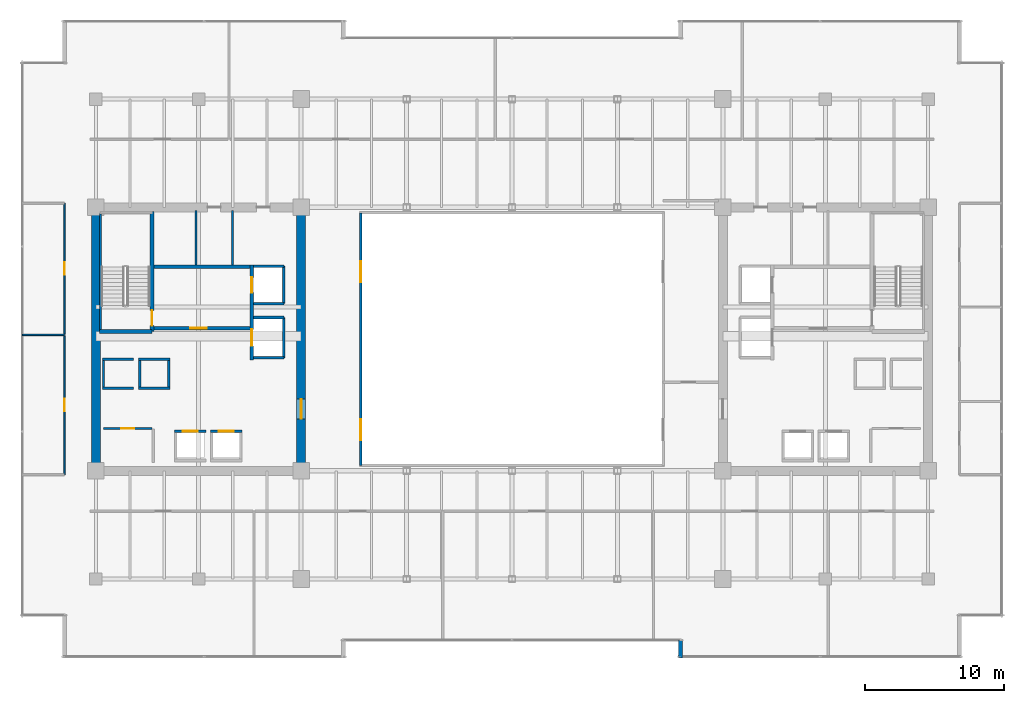
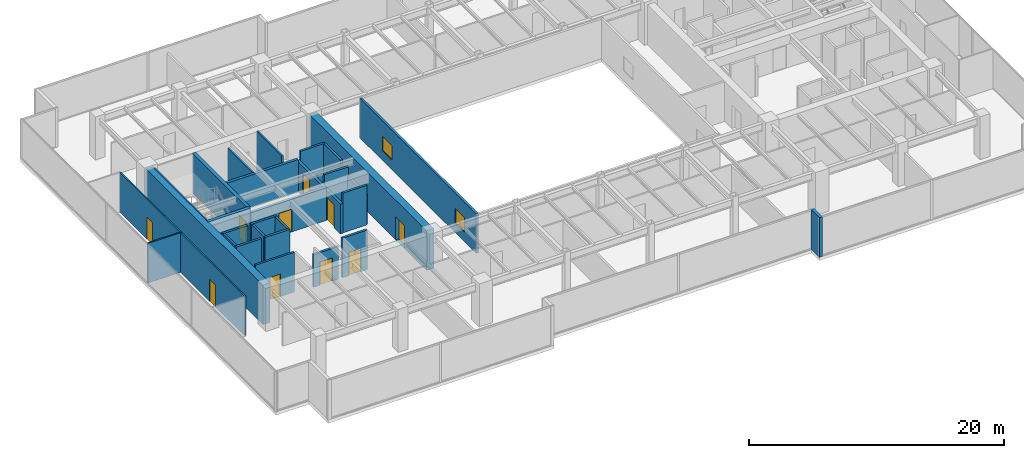
# One storey, part 25 of 30: 31 walls, 10 doors, 2 windows, 12 openings.
"""IFC4 building model written with IfcOpenShell, lengths in metres."""

from ifc_helpers import new_model, si_unit, direction, frame, frame_2d, origin, place, context, subcontext, project, spatial, rectangle, extrude, source, transform, mapped, material, layer, layer_set, type_object, type_shapes, element, fill, save


model = new_model("IFC4")

# Units and contexts
model_context = context("Model", 3, precision=1e-05, world=origin(), true_north=direction((0.0, 1.0)))
body_context = subcontext(model_context, "Body", "Model", "MODEL_VIEW")
ifc_project = project(units=[si_unit("LENGTHUNIT", "METRE"), si_unit("AREAUNIT", "SQUARE_METRE"), si_unit("VOLUMEUNIT", "CUBIC_METRE"), si_unit("PLANEANGLEUNIT", "RADIAN"), si_unit("MASSUNIT", "GRAM", prefix="KILO")], contexts=[model_context])

# Site, building, storey
site_placement = place(None, origin())
site = spatial("IfcSite", under=ifc_project, at=site_placement, CompositionType="ELEMENT")
building_placement = place(site_placement, origin())
building = spatial("IfcBuilding", under=site, at=building_placement, Name="Haelvirn Gate Laboratories", CompositionType="ELEMENT")
storey_placement = place(building_placement, frame((0.0, 0.0, 142.0)))
storey = spatial("IfcBuildingStorey", under=building, at=storey_placement, Name="L34", CompositionType="ELEMENT", Elevation=142.0)

# Wall
ifc_material_1 = material(Name="Thermally-broken bronze aluminium rainscreen & mineral wool", Category="aluminium")
ifc_layer_1 = layer(ifc_material_1, 0.280029296875, Name="EW-TERR-280")
ifc_layer_set_1 = layer_set([ifc_layer_1], Name="Thermally-broken bronze aluminium rainscreen & mineral wool")
wall_type_1 = type_object("IfcWallType", Name="EW-TERR-280", PredefinedType="STANDARD", material=ifc_layer_set_1)
wall_1_placement = place(storey_placement, frame((49.5400390625, 2.587890625, 0.0), z_axis=(0.0, 0.0, 1.0), x_axis=(0.0, -1.0, 0.0)))
element("IfcWall", 1, at=wall_1_placement, inside=storey, type_object=wall_type_1, Name="L34 Atrium Recess Bronze Return Wall 03", PredefinedType="STANDARD", context=body_context, shape_type="SweptSolid", body=[
    extrude(rectangle(XDim=1.287841796875, YDim=0.280029296875, at=frame_2d((0.64404296875, 0.0))), origin(), (0.0, 0.0, 1.0), 3.7900390625),
])

# Wall, openings, windows
ifc_material_2 = material(Name="Tempered fire-rated borosilicate glass & anodised aluminium", Category="aluminium")
ifc_layer_2 = layer(ifc_material_2, 0.195068359375, Name="IW-GLAZ-200")
ifc_layer_set_2 = layer_set([ifc_layer_2], Name="Tempered fire-rated borosilicate glass & anodised aluminium")
wall_type_2 = type_object("IfcWallType", Name="IW-GLAZ-200", PredefinedType="SOLIDWALL", material=ifc_layer_set_2)
wall_2_placement = place(storey_placement, frame((26.5, 15.199951171875, 0.0), z_axis=(0.0, 0.0, 1.0), x_axis=(0.0, 1.0, 0.0)))
wall_2 = element("IfcWall", 2, at=wall_2_placement, inside=storey, type_object=wall_type_2, Name="L34 Interior Wall IW-L34-ATRIUM-W", PredefinedType="SOLIDWALL", context=body_context, shape_type="SweptSolid", body=[
    extrude(rectangle(XDim=18.199951171875, YDim=0.195068359375, at=frame_2d((9.10009765625, 0.0))), origin(), (0.0, 0.0, 1.0), 3.7900390625),
])
opening_1_placement = place(wall_2_placement, frame((1.800048828125, 0.0, 0.89990234375)))
opening_1 = element("IfcOpeningElement", 3, at=opening_1_placement, cuts=wall_2, Name="Opening W5", PredefinedType="OPENING", context=body_context, shape_type="SweptSolid", body=[
    extrude(rectangle(XDim=1.5, YDim=1.39990234375, at=frame_2d((0.75, 0.699951171875))), frame((0.0, 0.107421875, 0.0), z_axis=(0.0, -1.0, 0.0), x_axis=(1.0, 0.0, 0.0)), (0.0, 0.0, 1.0), 0.215087890625),
])
opening_2_placement = place(wall_2_placement, frame((13.199951171875, 0.0, 0.89990234375)))
opening_2 = element("IfcOpeningElement", 4, at=opening_2_placement, cuts=wall_2, Name="Opening W5", PredefinedType="OPENING", context=body_context, shape_type="SweptSolid", body=[
    extrude(rectangle(XDim=1.5, YDim=1.39990234375, at=frame_2d((0.75, 0.699951171875))), frame((0.0, 0.107421875, 0.0), z_axis=(0.0, -1.0, 0.0), x_axis=(1.0, 0.0, 0.0)), (0.0, 0.0, 1.0), 0.215087890625),
])
ifc_material_3 = material(Name="Fire-rated EI 120 borosilicate atrium vision glazing", Category="glass")
window_type = type_object("IfcWindowType", Name="WN-ATR-1500", PartitioningType="SINGLE_PANEL", PredefinedType="WINDOW", material=ifc_material_3)
shared_shape_1 = source(origin(), body_context, "Body", "SweptSolid", [
    extrude(rectangle(XDim=1.5, YDim=1.39990234375, at=frame_2d((0.75, 0.699951171875))), frame((0.0, 0.030029296875, 0.0), z_axis=(0.0, -1.0, 0.0), x_axis=(1.0, 0.0, 0.0)), (0.0, 0.0, 1.0), 0.06005859375),
])
type_shapes(window_type, [shared_shape_1])
window_1_placement = place(opening_1_placement, origin())
window_1 = element("IfcWindow", 5, at=window_1_placement, inside=storey, type_object=window_type, Name="L34 Atrium Observation Window 1", OverallHeight=1.39990234375, OverallWidth=1.5, PartitioningType="SINGLE_PANEL", PredefinedType="WINDOW", context=body_context, shape_type="MappedRepresentation", body=[
    mapped(shared_shape_1, transform((0.0, 0.0, 0.0), scale=1.0)),
])
fill(opening_1, window_1)
window_2_placement = place(opening_2_placement, origin())
window_2 = element("IfcWindow", 6, at=window_2_placement, inside=storey, type_object=window_type, Name="L34 Atrium Observation Window 2", OverallHeight=1.39990234375, OverallWidth=1.5, PartitioningType="SINGLE_PANEL", PredefinedType="WINDOW", context=body_context, shape_type="MappedRepresentation", body=[
    mapped(shared_shape_1, transform((0.0, 0.0, 0.0), scale=1.0)),
])
fill(opening_2, window_2)

# Wall, opening, door
ifc_material_4 = material(Name="Lightweight acoustic gypsum board partition", Category="gypsum")
ifc_layer_3 = layer(ifc_material_4, 0.1201171875, Name="IW-PART-120")
ifc_layer_set_3 = layer_set([ifc_layer_3], Name="Lightweight acoustic gypsum board partition")
wall_type_3 = type_object("IfcWallType", Name="IW-PART-120", PredefinedType="PARTITIONING", material=ifc_layer_set_3)
wall_3_placement = place(storey_placement, frame((5.1298828125, 14.514892578125, 0.0), z_axis=(0.0, 0.0, 1.0), x_axis=(0.0, 1.0, 0.0)))
wall_3 = element("IfcWall", 7, at=wall_3_placement, inside=storey, type_object=wall_type_3, Name="L34 Interior Wall IW-L34-WPASS-01", PredefinedType="PARTITIONING", context=body_context, shape_type="SweptSolid", body=[
    extrude(rectangle(XDim=10.025146484375, YDim=0.1201171875, at=frame_2d((5.0126953125, 0.0))), origin(), (0.0, 0.0, 1.0), 3.7900390625),
])
opening_3_placement = place(wall_3_placement, frame((4.5625, 0.0, 0.0)))
opening_3 = element("IfcOpeningElement", 8, at=opening_3_placement, cuts=wall_3, Name="Opening D4", PredefinedType="OPENING", context=body_context, shape_type="SweptSolid", body=[
    extrude(rectangle(XDim=0.89990234375, YDim=2.10009765625, at=frame_2d((0.449951171875, 1.050048828125))), frame((0.0, 0.070068359375, 0.0), z_axis=(0.0, -1.0, 0.0), x_axis=(1.0, 0.0, 0.0)), (0.0, 0.0, 1.0), 0.14013671875),
])
ifc_material_5 = material(Name="Glazed aluminium-framed write-up door", Category="aluminium")
door_type_1 = type_object("IfcDoorType", Name="DR-OFF-900", OperationType="NOTDEFINED", PredefinedType="DOOR", material=ifc_material_5)
shared_shape_2 = source(origin(), body_context, "Body", "SweptSolid", [
    extrude(rectangle(XDim=0.89990234375, YDim=2.10009765625, at=frame_2d((0.449951171875, 1.050048828125))), frame((0.0, 0.02490234375, 0.0), z_axis=(0.0, -1.0, 0.0), x_axis=(1.0, 0.0, 0.0)), (0.0, 0.0, 1.0), 0.050048828125),
])
type_shapes(door_type_1, [shared_shape_2])
door_1_placement = place(opening_3_placement, origin())
door_1 = element("IfcDoor", 9, at=door_1_placement, inside=storey, type_object=door_type_1, Name="L34 Researcher Break Pantry Door W1", OperationType="SINGLE_SWING_LEFT", OverallHeight=2.10009765625, OverallWidth=0.89990234375, PredefinedType="DOOR", context=body_context, shape_type="MappedRepresentation", body=[
    mapped(shared_shape_2, transform((0.0, 0.0, 0.0), scale=1.0)),
])
fill(opening_3, door_1)

# Wall
wall_4_placement = place(storey_placement, frame((2.110107421875, 24.60009765625, 0.0), z_axis=(0.0, 0.0, 1.0), x_axis=(1.0, 0.0, 0.0)))
element("IfcWall", 10, at=wall_4_placement, inside=storey, type_object=wall_type_3, Name="L34 Interior Wall IW-L34-WDIV-01", PredefinedType="PARTITIONING", context=body_context, shape_type="SweptSolid", body=[
    extrude(rectangle(XDim=3.019775390625, YDim=0.1201171875, at=frame_2d((1.509765625, 0.0))), origin(), (0.0, 0.0, 1.0), 3.7900390625),
])

# Wall, opening, door
wall_5_placement = place(storey_placement, frame((5.1298828125, 24.659912109375, 0.0), z_axis=(0.0, 0.0, 1.0), x_axis=(0.0, 1.0, 0.0)))
wall_5 = element("IfcWall", 11, at=wall_5_placement, inside=storey, type_object=wall_type_3, Name="L34 Interior Wall IW-L34-WPASS-02", PredefinedType="PARTITIONING", context=body_context, shape_type="SweptSolid", body=[
    extrude(rectangle(XDim=9.425048828125, YDim=0.1201171875, at=frame_2d((4.71240234375, 0.0))), origin(), (0.0, 0.0, 1.0), 3.7900390625),
])
opening_4_placement = place(wall_5_placement, frame((4.262451171875, 0.0, 0.0)))
opening_4 = element("IfcOpeningElement", 12, at=opening_4_placement, cuts=wall_5, Name="Opening D4", PredefinedType="OPENING", context=body_context, shape_type="SweptSolid", body=[
    extrude(rectangle(XDim=0.89990234375, YDim=2.10009765625, at=frame_2d((0.449951171875, 1.050048828125))), frame((0.0, 0.070068359375, 0.0), z_axis=(0.0, -1.0, 0.0), x_axis=(1.0, 0.0, 0.0)), (0.0, 0.0, 1.0), 0.14013671875),
])
door_2_placement = place(opening_4_placement, origin())
door_2 = element("IfcDoor", 13, at=door_2_placement, inside=storey, type_object=door_type_1, Name="L34 Proteomics Mass-Spec Laboratory Door W2", OperationType="SINGLE_SWING_RIGHT", OverallHeight=2.10009765625, OverallWidth=0.89990234375, PredefinedType="DOOR", context=body_context, shape_type="MappedRepresentation", body=[
    mapped(shared_shape_2, transform((0.0, 0.0, 0.0), scale=1.0)),
])
fill(opening_4, door_2)

# Walls
ifc_material_6 = material(Name="Cement-board restroom plumbing chase wall", Category="gypsum")
ifc_layer_4 = layer(ifc_material_6, 0.155029296875, Name="IW-PLUMB-160")
ifc_layer_set_4 = layer_set([ifc_layer_4], Name="Cement-board restroom plumbing chase wall")
wall_type_4 = type_object("IfcWallType", Name="IW-PLUMB-160", PredefinedType="PLUMBINGWALL", material=ifc_layer_set_4)
wall_6_placement = place(storey_placement, frame((14.610107421875, 29.64990234375, 0.0), z_axis=(0.0, 0.0, 1.0), x_axis=(0.0, 1.0, 0.0)))
element("IfcWall", 14, at=wall_6_placement, inside=storey, type_object=wall_type_4, Name="L34 Interior Wall IW-L34-W-CDIV-0", PredefinedType="PLUMBINGWALL", context=body_context, shape_type="SweptSolid", body=[
    extrude(rectangle(XDim=3.93017578125, YDim=0.155029296875, at=frame_2d((1.965087890625, 0.0))), origin(), (0.0, 0.0, 1.0), 3.125),
])
wall_7_placement = place(storey_placement, frame((17.239990234375, 29.64990234375, 0.0), z_axis=(0.0, 0.0, 1.0), x_axis=(0.0, 1.0, 0.0)))
element("IfcWall", 15, at=wall_7_placement, inside=storey, type_object=wall_type_4, Name="L34 Interior Wall IW-L34-W-CDIV-1", PredefinedType="PLUMBINGWALL", context=body_context, shape_type="SweptSolid", body=[
    extrude(rectangle(XDim=3.93017578125, YDim=0.155029296875, at=frame_2d((1.965087890625, 0.0))), origin(), (0.0, 0.0, 1.0), 3.7900390625),
])
ifc_material_7 = material(Name="Concrete C40/50", Category="concrete")
ifc_layer_5 = layer(ifc_material_7, 0.179931640625, Name="IW-SHAFT-180")
ifc_layer_set_5 = layer_set([ifc_layer_5], Name="Concrete C40/50")
wall_type_5 = type_object("IfcWallType", Name="IW-SHAFT-180", PredefinedType="SOLIDWALL", material=ifc_layer_set_5)
for number, where, z_axis, x_axis, name in (
    (16, (7.949951171875, 20.85009765625, 0.0), (0.0, 0.0, 1.0), (0.0, 1.0, 0.0), "L34 Interior Wall IW-L34-PL9-SD"),
    (17, (10.550048828125, 20.85009765625, 0.0), (0.0, 0.0, 1.0), (0.0, 1.0, 0.0), "L34 Interior Wall IW-L34-PL10-SD"),
    (18, (12.64990234375, 20.85009765625, 0.0), (0.0, 0.0, 1.0), (0.0, 1.0, 0.0), "L34 Interior Wall IW-L34-PL10-SDE"),
):
    element("IfcWall", number, at=place(storey_placement, frame(where, z_axis=z_axis, x_axis=x_axis)), inside=storey, type_object=wall_type_5, Name=name, PredefinedType="SOLIDWALL", context=body_context, shape_type="SweptSolid", body=[
        extrude(rectangle(XDim=1.89990234375, YDim=0.179931640625, at=frame_2d((0.949951171875, 0.0))), origin(), (0.0, 0.0, 1.0), 3.7900390625),
    ])

# Wall, opening, door
wall_8_placement = place(storey_placement, frame((7.949951171875, 17.85009765625, 0.0), z_axis=(0.0, 0.0, 1.0), x_axis=(1.0, 0.0, 0.0)))
wall_8 = element("IfcWall", 19, at=wall_8_placement, inside=storey, type_object=wall_type_5, Name="L34 Interior Wall IW-L34-W-FREED-LN-1", PredefinedType="SOLIDWALL", context=body_context, shape_type="SweptSolid", body=[
    extrude(rectangle(XDim=3.5, YDim=0.179931640625, at=frame_2d((1.75, 0.0))), origin(), (0.0, 0.0, 1.0), 3.7900390625),
])
opening_5_placement = place(wall_8_placement, frame((1.27490234375, 0.0, 0.0)))
opening_5 = element("IfcOpeningElement", 20, at=opening_5_placement, cuts=wall_8, Name="Opening FD4", PredefinedType="OPENING", context=body_context, shape_type="SweptSolid", body=[
    extrude(rectangle(XDim=0.949951171875, YDim=2.14990234375, at=frame_2d((0.47509765625, 1.074951171875))), frame((0.0, 0.10009765625, 0.0), z_axis=(0.0, -1.0, 0.0), x_axis=(1.0, 0.0, 0.0)), (0.0, 0.0, 1.0), 0.199951171875),
])
ifc_material_8 = material(Name="Fire-rated steel SM355 core service door", Category="steel")
door_type_2 = type_object("IfcDoorType", Name="DR-FD-950", OperationType="NOTDEFINED", PredefinedType="DOOR", material=ifc_material_8)
shared_shape_3 = source(origin(), body_context, "Body", "SweptSolid", [
    extrude(rectangle(XDim=0.949951171875, YDim=2.14990234375, at=frame_2d((0.47509765625, 1.074951171875))), frame((0.0, 0.02490234375, 0.0), z_axis=(0.0, -1.0, 0.0), x_axis=(1.0, 0.0, 0.0)), (0.0, 0.0, 1.0), 0.050048828125),
])
type_shapes(door_type_2, [shared_shape_3])
door_3_placement = place(opening_5_placement, origin())
door_3 = element("IfcDoor", 21, at=door_3_placement, inside=storey, type_object=door_type_2, Name="L34 Core Calibration Room Door", OperationType="SINGLE_SWING_LEFT", OverallHeight=2.14990234375, OverallWidth=0.949951171875, PredefinedType="DOOR", context=body_context, shape_type="MappedRepresentation", body=[
    mapped(shared_shape_3, transform((0.0, 0.0, 0.0), scale=1.0)),
])
fill(opening_5, door_3)

ifc_layer_6 = layer(ifc_material_7, 0.199951171875, Name="IW-SHAFT-200")
ifc_layer_set_6 = layer_set([ifc_layer_6], Name="Concrete C40/50")
wall_type_6 = type_object("IfcWallType", Name="IW-SHAFT-200", PredefinedType="SOLIDWALL", material=ifc_layer_set_6)
wall_9_placement = place(storey_placement, frame((13.070068359375, 17.64990234375, 0.0), z_axis=(0.0, 0.0, 1.0), x_axis=(1.0, 0.0, 0.0)))
wall_9 = element("IfcWall", 22, at=wall_9_placement, inside=storey, type_object=wall_type_6, Name="L34 Interior Wall IW-L34-PL5-FR", PredefinedType="SOLIDWALL", context=body_context, shape_type="SweptSolid", body=[
    extrude(rectangle(XDim=2.260009765625, YDim=0.199951171875, at=frame_2d((1.1298828125, 0.0))), origin(), (0.0, 0.0, 1.0), 3.125),
])
opening_6_placement = place(wall_9_placement, frame((0.580078125, 0.0, 0.0)))
opening_6 = element("IfcOpeningElement", 23, at=opening_6_placement, cuts=wall_9, Name="Opening LD2", PredefinedType="OPENING", context=body_context, shape_type="SweptSolid", body=[
    extrude(rectangle(XDim=1.10009765625, YDim=2.219970703125, at=frame_2d((0.550048828125, 1.10986328125))), frame((0.0, 0.10986328125, 0.0), z_axis=(0.0, -1.0, 0.0), x_axis=(1.0, 0.0, 0.0)), (0.0, 0.0, 1.0), 0.219970703125),
])
ifc_material_9 = material(Name="Bronze stainless 316L sliding lift landing door")
door_type_3 = type_object("IfcDoorType", Name="DR-LD-1100", OperationType="NOTDEFINED", PredefinedType="USERDEFINED", material=ifc_material_9)
shared_shape_4 = source(origin(), body_context, "Body", "SweptSolid", [
    extrude(rectangle(XDim=1.10009765625, YDim=2.219970703125, at=frame_2d((0.550048828125, 1.10986328125))), frame((0.0, 0.02490234375, 0.0), z_axis=(0.0, -1.0, 0.0), x_axis=(1.0, 0.0, 0.0)), (0.0, 0.0, 1.0), 0.050048828125),
])
type_shapes(door_type_3, [shared_shape_4])
door_4_placement = place(opening_6_placement, origin())
door_4 = element("IfcDoor", 24, at=door_4_placement, inside=storey, type_object=door_type_3, Name="L34 Passenger Lift PL5 Landing Door", ObjectType="LANDING_DOOR", OperationType="SLIDING_TO_LEFT", OverallHeight=2.219970703125, OverallWidth=1.10009765625, PredefinedType="USERDEFINED", context=body_context, shape_type="MappedRepresentation", body=[
    mapped(shared_shape_4, transform((0.0, 0.0, 0.0), scale=1.0)),
])
fill(opening_6, door_4)

wall_10_placement = place(storey_placement, frame((15.669921875, 17.64990234375, 0.0), z_axis=(0.0, 0.0, 1.0), x_axis=(1.0, 0.0, 0.0)))
wall_10 = element("IfcWall", 25, at=wall_10_placement, inside=storey, type_object=wall_type_6, Name="L34 Interior Wall IW-L34-PL6-FR", PredefinedType="SOLIDWALL", context=body_context, shape_type="SweptSolid", body=[
    extrude(rectangle(XDim=2.260009765625, YDim=0.199951171875, at=frame_2d((1.1298828125, 0.0))), origin(), (0.0, 0.0, 1.0), 3.7900390625),
])
opening_7_placement = place(wall_10_placement, frame((0.580078125, 0.0, 0.0)))
opening_7 = element("IfcOpeningElement", 26, at=opening_7_placement, cuts=wall_10, Name="Opening LD2", PredefinedType="OPENING", context=body_context, shape_type="SweptSolid", body=[
    extrude(rectangle(XDim=1.10009765625, YDim=2.219970703125, at=frame_2d((0.550048828125, 1.10986328125))), frame((0.0, 0.10986328125, 0.0), z_axis=(0.0, -1.0, 0.0), x_axis=(1.0, 0.0, 0.0)), (0.0, 0.0, 1.0), 0.219970703125),
])
door_5_placement = place(opening_7_placement, origin())
door_5 = element("IfcDoor", 27, at=door_5_placement, inside=storey, type_object=door_type_3, Name="L34 Passenger Lift PL6 Landing Door", ObjectType="LANDING_DOOR", OperationType="SLIDING_TO_RIGHT", OverallHeight=2.219970703125, OverallWidth=1.10009765625, PredefinedType="USERDEFINED", context=body_context, shape_type="MappedRepresentation", body=[
    mapped(shared_shape_4, transform((0.0, 0.0, 0.0), scale=1.0)),
])
fill(opening_7, door_5)

# Walls
for number, where, z_axis, x_axis, name in (
    (28, (7.8701171875, 20.75, 0.0), (0.0, 0.0, 1.0), (1.0, 0.0, 0.0), "L34 Interior Wall IW-L34-PL9-FR"),
    (29, (7.8701171875, 22.85009765625, 0.0), (0.0, 0.0, 1.0), (1.0, 0.0, 0.0), "L34 Interior Wall IW-L34-PL9-BK"),
):
    element("IfcWall", number, at=place(storey_placement, frame(where, z_axis=z_axis, x_axis=x_axis)), inside=storey, type_object=wall_type_6, Name=name, PredefinedType="SOLIDWALL", context=body_context, shape_type="SweptSolid", body=[
        extrude(rectangle(XDim=2.259765625, YDim=0.199951171875, at=frame_2d((1.1298828125, 0.0))), origin(), (0.0, 0.0, 1.0), 3.7900390625),
    ])
for number, where, z_axis, x_axis, name in (
    (30, (10.469970703125, 20.75, 0.0), (0.0, 0.0, 1.0), (1.0, 0.0, 0.0), "L34 Interior Wall IW-L34-PL10-FR"),
    (31, (10.469970703125, 22.85009765625, 0.0), (0.0, 0.0, 1.0), (1.0, 0.0, 0.0), "L34 Interior Wall IW-L34-PL10-BK"),
):
    element("IfcWall", number, at=place(storey_placement, frame(where, z_axis=z_axis, x_axis=x_axis)), inside=storey, type_object=wall_type_6, Name=name, PredefinedType="SOLIDWALL", context=body_context, shape_type="SweptSolid", body=[
        extrude(rectangle(XDim=2.260009765625, YDim=0.199951171875, at=frame_2d((1.1298828125, 0.0))), origin(), (0.0, 0.0, 1.0), 3.7900390625),
    ])
wall_11_placement = place(storey_placement, frame((20.949951171875, 26.85009765625, 0.0), z_axis=(0.0, 0.0, 1.0), x_axis=(0.0, 1.0, 0.0)))
element("IfcWall", 32, at=wall_11_placement, inside=storey, type_object=wall_type_6, Name="L34 Interior Wall IW-L34-FL1-BK", PredefinedType="SOLIDWALL", context=body_context, shape_type="SweptSolid", body=[
    extrude(rectangle(XDim=2.699951171875, YDim=0.199951171875, at=frame_2d((1.35009765625, 0.0))), origin(), (0.0, 0.0, 1.0), 3.7900390625),
])
wall_12_placement = place(storey_placement, frame((18.760009765625, 29.550048828125, 0.0), z_axis=(0.0, 0.0, 1.0), x_axis=(1.0, 0.0, 0.0)))
element("IfcWall", 33, at=wall_12_placement, inside=storey, type_object=wall_type_6, Name="L34 Interior Wall IW-L34-FL1-N", PredefinedType="SOLIDWALL", context=body_context, shape_type="SweptSolid", body=[
    extrude(rectangle(XDim=2.18994140625, YDim=0.199951171875, at=frame_2d((1.094970703125, 0.0))), origin(), (0.0, 0.0, 1.0), 3.7900390625),
])
wall_13_placement = place(storey_placement, frame((18.760009765625, 26.85009765625, 0.0), z_axis=(0.0, 0.0, 1.0), x_axis=(1.0, 0.0, 0.0)))
element("IfcWall", 34, at=wall_13_placement, inside=storey, type_object=wall_type_6, Name="L34 Interior Wall IW-L34-FL1-S", PredefinedType="SOLIDWALL", context=body_context, shape_type="SweptSolid", body=[
    extrude(rectangle(XDim=2.18994140625, YDim=0.199951171875, at=frame_2d((1.094970703125, 0.0))), origin(), (0.0, 0.0, 1.0), 3.18701171875),
])
wall_14_placement = place(storey_placement, frame((20.949951171875, 22.949951171875, 0.0), z_axis=(0.0, 0.0, 1.0), x_axis=(0.0, 1.0, 0.0)))
element("IfcWall", 35, at=wall_14_placement, inside=storey, type_object=wall_type_6, Name="L34 Interior Wall IW-L34-SL1-BK", PredefinedType="SOLIDWALL", context=body_context, shape_type="SweptSolid", body=[
    extrude(rectangle(XDim=2.900146484375, YDim=0.199951171875, at=frame_2d((1.4501953125, 0.0))), origin(), (0.0, 0.0, 1.0), 2.875),
])
for number, where, z_axis, x_axis, name in (
    (36, (18.760009765625, 25.85009765625, 0.0), (0.0, 0.0, 1.0), (1.0, 0.0, 0.0), "L34 Interior Wall IW-L34-SL1-N"),
    (37, (18.760009765625, 22.949951171875, 0.0), (0.0, 0.0, 1.0), (1.0, 0.0, 0.0), "L34 Interior Wall IW-L34-SL1-S"),
):
    element("IfcWall", number, at=place(storey_placement, frame(where, z_axis=z_axis, x_axis=x_axis)), inside=storey, type_object=wall_type_6, Name=name, PredefinedType="SOLIDWALL", context=body_context, shape_type="SweptSolid", body=[
        extrude(rectangle(XDim=2.18994140625, YDim=0.199951171875, at=frame_2d((1.094970703125, 0.0))), origin(), (0.0, 0.0, 1.0), 3.7900390625),
    ])

# Wall, opening, door
ifc_layer_7 = layer(ifc_material_7, 0.239990234375, Name="IW-SHAFT-240")
ifc_layer_set_7 = layer_set([ifc_layer_7], Name="Concrete C40/50")
wall_type_7 = type_object("IfcWallType", Name="IW-SHAFT-240", PredefinedType="SOLIDWALL", material=ifc_layer_set_7)
wall_15_placement = place(storey_placement, frame((11.60009765625, 25.080078125, 0.0), z_axis=(0.0, 0.0, 1.0), x_axis=(1.0, 0.0, 0.0)))
wall_15 = element("IfcWall", 38, at=wall_15_placement, inside=storey, type_object=wall_type_7, Name="L34 Interior Wall IW-L34-W-FF-S", PredefinedType="SOLIDWALL", context=body_context, shape_type="SweptSolid", body=[
    extrude(rectangle(XDim=6.919921875, YDim=0.239990234375, at=frame_2d((3.4599609375, 0.0))), origin(), (0.0, 0.0, 1.0), 3.125),
])
opening_8_placement = place(wall_15_placement, frame((2.60009765625, 0.0, 0.0)))
opening_8 = element("IfcOpeningElement", 39, at=opening_8_placement, cuts=wall_15, Name="Opening FD2", PredefinedType="OPENING", context=body_context, shape_type="SweptSolid", body=[
    extrude(rectangle(XDim=1.199951171875, YDim=2.159912109375, at=frame_2d((0.60009765625, 1.080078125))), frame((0.0, 0.1298828125, 0.0), z_axis=(0.0, -1.0, 0.0), x_axis=(1.0, 0.0, 0.0)), (0.0, 0.0, 1.0), 0.260009765625),
])
ifc_material_10 = material(Name="Fire-rated steel SM355 compartment door", Category="steel")
door_type_4 = type_object("IfcDoorType", Name="DR-FD-1200", OperationType="NOTDEFINED", PredefinedType="DOOR", material=ifc_material_10)
shared_shape_5 = source(origin(), body_context, "Body", "SweptSolid", [
    extrude(rectangle(XDim=1.199951171875, YDim=2.159912109375, at=frame_2d((0.60009765625, 1.080078125))), frame((0.0, 0.02490234375, 0.0), z_axis=(0.0, -1.0, 0.0), x_axis=(1.0, 0.0, 0.0)), (0.0, 0.0, 1.0), 0.050048828125),
])
type_shapes(door_type_4, [shared_shape_5])
door_6_placement = place(opening_8_placement, origin())
door_6 = element("IfcDoor", 40, at=door_6_placement, inside=storey, type_object=door_type_4, Name="L34 West Firefighting Lobby Door", OperationType="SINGLE_SWING_RIGHT", OverallHeight=2.159912109375, OverallWidth=1.199951171875, PredefinedType="DOOR", context=body_context, shape_type="MappedRepresentation", body=[
    mapped(shared_shape_5, transform((0.0, 0.0, 0.0), scale=1.0)),
])
fill(opening_8, door_6)

# Wall
wall_16_placement = place(storey_placement, frame((11.60009765625, 29.52001953125, 0.0), z_axis=(0.0, 0.0, 1.0), x_axis=(1.0, 0.0, 0.0)))
element("IfcWall", 41, at=wall_16_placement, inside=storey, type_object=wall_type_7, Name="L34 Interior Wall IW-L34-W-FF-N", PredefinedType="SOLIDWALL", context=body_context, shape_type="SweptSolid", body=[
    extrude(rectangle(XDim=6.919921875, YDim=0.239990234375, at=frame_2d((3.4599609375, 0.0))), origin(), (0.0, 0.0, 1.0), 3.125),
])

# Wall, openings, doors
wall_17_placement = place(storey_placement, frame((18.639892578125, 22.800048828125, 0.0), z_axis=(0.0, 0.0, 1.0), x_axis=(0.0, 1.0, 0.0)))
wall_17 = element("IfcWall", 42, at=wall_17_placement, inside=storey, type_object=wall_type_7, Name="L34 Interior Wall IW-L34-W-FF-E", PredefinedType="SOLIDWALL", context=body_context, shape_type="SweptSolid", body=[
    extrude(rectangle(XDim=6.849853515625, YDim=0.239990234375, at=frame_2d((3.4248046875, 0.0))), origin(), (0.0, 0.0, 1.0), 2.875),
])
opening_9_placement = place(wall_17_placement, frame((4.85009765625, 0.0, 0.0)))
opening_9 = element("IfcOpeningElement", 43, at=opening_9_placement, cuts=wall_17, Name="Opening LD2", PredefinedType="OPENING", context=body_context, shape_type="SweptSolid", body=[
    extrude(rectangle(XDim=1.10009765625, YDim=2.219970703125, at=frame_2d((0.550048828125, 1.10986328125))), frame((0.0, 0.1298828125, 0.0), z_axis=(0.0, -1.0, 0.0), x_axis=(1.0, 0.0, 0.0)), (0.0, 0.0, 1.0), 0.260009765625),
])
opening_10_placement = place(wall_17_placement, frame((1.0, 0.0, 0.0)))
opening_10 = element("IfcOpeningElement", 44, at=opening_10_placement, cuts=wall_17, Name="Opening LD1", PredefinedType="OPENING", context=body_context, shape_type="SweptSolid", body=[
    extrude(rectangle(XDim=1.199951171875, YDim=2.219970703125, at=frame_2d((0.60009765625, 1.10986328125))), frame((0.0, 0.1298828125, 0.0), z_axis=(0.0, -1.0, 0.0), x_axis=(1.0, 0.0, 0.0)), (0.0, 0.0, 1.0), 0.260009765625),
])
door_7_placement = place(opening_9_placement, origin())
door_7 = element("IfcDoor", 45, at=door_7_placement, inside=storey, type_object=door_type_3, Name="L34 Firefighting Lift FL1 Landing Door", ObjectType="LANDING_DOOR", OperationType="SLIDING_TO_LEFT", OverallHeight=2.219970703125, OverallWidth=1.10009765625, PredefinedType="USERDEFINED", context=body_context, shape_type="MappedRepresentation", body=[
    mapped(shared_shape_4, transform((0.0, 0.0, 0.0), scale=1.0)),
])
fill(opening_9, door_7)
ifc_material_11 = material(Name="Stainless steel 316L sliding goods landing door", Category="steel")
door_type_5 = type_object("IfcDoorType", Name="DR-LD-1200", OperationType="NOTDEFINED", PredefinedType="USERDEFINED", material=ifc_material_11)
shared_shape_6 = source(origin(), body_context, "Body", "SweptSolid", [
    extrude(rectangle(XDim=1.199951171875, YDim=2.219970703125, at=frame_2d((0.60009765625, 1.10986328125))), frame((0.0, 0.02490234375, 0.0), z_axis=(0.0, -1.0, 0.0), x_axis=(1.0, 0.0, 0.0)), (0.0, 0.0, 1.0), 0.050048828125),
])
type_shapes(door_type_5, [shared_shape_6])
door_8_placement = place(opening_10_placement, origin())
door_8 = element("IfcDoor", 46, at=door_8_placement, inside=storey, type_object=door_type_5, Name="L34 Service Lift SL1 Landing Door", ObjectType="LANDING_DOOR", OperationType="SLIDING_TO_RIGHT", OverallHeight=2.219970703125, OverallWidth=1.199951171875, PredefinedType="USERDEFINED", context=body_context, shape_type="MappedRepresentation", body=[
    mapped(shared_shape_6, transform((0.0, 0.0, 0.0), scale=1.0)),
])
fill(opening_10, door_8)

# Wall
ifc_material_12 = material(Name="Concrete C60/75", Category="concrete")
ifc_layer_8 = layer(ifc_material_12, 0.64990234375, Name="SW-CORE-650")
ifc_layer_set_8 = layer_set([ifc_layer_8], Name="Concrete C60/75")
wall_type_8 = type_object("IfcWallType", Name="SW-CORE-650", PredefinedType="SHEAR", material=ifc_layer_set_8)
wall_18_placement = place(storey_placement, frame((7.39990234375, 15.125, 0.0), z_axis=(0.0, 0.0, 1.0), x_axis=(0.0, 1.0, 0.0)))
element("IfcWall", 47, at=wall_18_placement, inside=storey, type_object=wall_type_8, Name="L34 W Core Shear Wall W", PredefinedType="SHEAR", context=body_context, shape_type="SweptSolid", body=[
    extrude(rectangle(XDim=18.35009765625, YDim=0.64990234375, at=frame_2d((9.175048828125, 0.0))), origin(), (0.0, 0.0, 1.0), 3.7900390625),
])

# Wall, opening, door
wall_19_placement = place(storey_placement, frame((22.199951171875, 15.125, 0.0), z_axis=(0.0, 0.0, 1.0), x_axis=(0.0, 1.0, 0.0)))
wall_19 = element("IfcWall", 48, at=wall_19_placement, inside=storey, type_object=wall_type_8, Name="L34 W Core Shear Wall E", PredefinedType="SHEAR", context=body_context, shape_type="SweptSolid", body=[
    extrude(rectangle(XDim=18.35009765625, YDim=0.64990234375, at=frame_2d((9.175048828125, 0.0))), origin(), (0.0, 0.0, 1.0), 3.7900390625),
])
opening_11_placement = place(wall_19_placement, frame((3.425048828125, 0.0, 0.0)))
opening_11 = element("IfcOpeningElement", 49, at=opening_11_placement, cuts=wall_19, Name="Opening FD1", PredefinedType="OPENING", context=body_context, shape_type="SweptSolid", body=[
    extrude(rectangle(XDim=1.419921875, YDim=2.199951171875, at=frame_2d((0.7099609375, 1.10009765625))), frame((0.0, 0.3349609375, 0.0), z_axis=(0.0, -1.0, 0.0), x_axis=(1.0, 0.0, 0.0)), (0.0, 0.0, 1.0), 0.669921875),
])
ifc_material_13 = material(Name="Fire-rated double steel SM355 lobby door", Category="steel")
door_type_6 = type_object("IfcDoorType", Name="DR-FD-1400", OperationType="NOTDEFINED", PredefinedType="DOOR", material=ifc_material_13)
shared_shape_7 = source(origin(), body_context, "Body", "SweptSolid", [
    extrude(rectangle(XDim=1.419921875, YDim=2.199951171875, at=frame_2d((0.7099609375, 1.10009765625))), frame((0.0, 0.02490234375, 0.0), z_axis=(0.0, -1.0, 0.0), x_axis=(1.0, 0.0, 0.0)), (0.0, 0.0, 1.0), 0.050048828125),
])
type_shapes(door_type_6, [shared_shape_7])
door_9_placement = place(opening_11_placement, origin())
door_9 = element("IfcDoor", 50, at=door_9_placement, inside=storey, type_object=door_type_6, Name="L34 West Core Lift Lobby Fire Door", OperationType="DOUBLE_DOOR_SINGLE_SWING", OverallHeight=2.199951171875, OverallWidth=1.419921875, PredefinedType="DOOR", context=body_context, shape_type="MappedRepresentation", body=[
    mapped(shared_shape_7, transform((0.0, 0.0, 0.0), scale=1.0)),
])
fill(opening_11, door_9)

# Wall
ifc_material_14 = material(Name="Concrete C50/60", Category="concrete")
ifc_layer_9 = layer(ifc_material_14, 0.1201171875, Name="SW-LINER-120")
ifc_layer_set_9 = layer_set([ifc_layer_9], Name="Concrete C50/60")
wall_type_9 = type_object("IfcWallType", Name="SW-LINER-120", PredefinedType="SOLIDWALL", material=ifc_layer_set_9)
wall_20_placement = place(storey_placement, frame((7.72998046875, 25.0, 0.0), z_axis=(0.0, 0.0, 1.0), x_axis=(0.0, 1.0, 0.0)))
element("IfcWall", 51, at=wall_20_placement, inside=storey, type_object=wall_type_9, Name="L34 W Core Stair Shaft Liner Wall OUT", PredefinedType="SOLIDWALL", context=body_context, shape_type="SweptSolid", body=[
    extrude(rectangle(XDim=8.320068359375, YDim=0.1201171875, at=frame_2d((4.16015625, 0.0))), origin(), (0.0, 0.0, 1.0), 3.7900390625),
])

# Wall, opening, door
ifc_layer_10 = layer(ifc_material_14, 0.300048828125, Name="SW-STAIR-300")
ifc_layer_set_10 = layer_set([ifc_layer_10], Name="Concrete C50/60")
wall_type_10 = type_object("IfcWallType", Name="SW-STAIR-300", PredefinedType="SHEAR", material=ifc_layer_set_10)
wall_21_placement = place(storey_placement, frame((11.449951171875, 24.85009765625, 0.0), z_axis=(0.0, 0.0, 1.0), x_axis=(0.0, 1.0, 0.0)))
wall_21 = element("IfcWall", 52, at=wall_21_placement, inside=storey, type_object=wall_type_10, Name="L34 W Core Stair Shaft Structural Wall IN", PredefinedType="SHEAR", context=body_context, shape_type="SweptSolid", body=[
    extrude(rectangle(XDim=8.6298828125, YDim=0.300048828125, at=frame_2d((4.31494140625, 0.0))), origin(), (0.0, 0.0, 1.0), 3.7900390625),
])
opening_12_placement = place(wall_21_placement, frame((0.419921875, 0.0, 0.0)))
opening_12 = element("IfcOpeningElement", 53, at=opening_12_placement, cuts=wall_21, Name="Opening FD3", PredefinedType="OPENING", context=body_context, shape_type="SweptSolid", body=[
    extrude(rectangle(XDim=1.10009765625, YDim=2.14990234375, at=frame_2d((0.550048828125, 1.074951171875))), frame((0.0, 0.16015625, 0.0), z_axis=(0.0, -1.0, 0.0), x_axis=(1.0, 0.0, 0.0)), (0.0, 0.0, 1.0), 0.320068359375),
])
ifc_material_15 = material(Name="Fire-rated steel SM355 escape stair door", Category="steel")
door_type_7 = type_object("IfcDoorType", Name="DR-FD-1100", OperationType="NOTDEFINED", PredefinedType="DOOR", material=ifc_material_15)
shared_shape_8 = source(origin(), body_context, "Body", "SweptSolid", [
    extrude(rectangle(XDim=1.10009765625, YDim=2.14990234375, at=frame_2d((0.550048828125, 1.074951171875))), frame((0.0, 0.02490234375, 0.0), z_axis=(0.0, -1.0, 0.0), x_axis=(1.0, 0.0, 0.0)), (0.0, 0.0, 1.0), 0.050048828125),
])
type_shapes(door_type_7, [shared_shape_8])
door_10_placement = place(opening_12_placement, origin())
door_10 = element("IfcDoor", 54, at=door_10_placement, inside=storey, type_object=door_type_7, Name="L34 Escape Stair ST1 Fire Door", OperationType="SINGLE_SWING_LEFT", OverallHeight=2.14990234375, OverallWidth=1.10009765625, PredefinedType="DOOR", context=body_context, shape_type="MappedRepresentation", body=[
    mapped(shared_shape_8, transform((0.0, 0.0, 0.0), scale=1.0)),
])
fill(opening_12, door_10)

# Wall
wall_22_placement = place(storey_placement, frame((7.64990234375, 24.85009765625, 0.0), z_axis=(0.0, 0.0, 1.0), x_axis=(1.0, 0.0, 0.0)))
element("IfcWall", 55, at=wall_22_placement, inside=storey, type_object=wall_type_10, Name="L34 W Core Stair Shaft Structural Wall S", PredefinedType="SHEAR", context=body_context, shape_type="SweptSolid", body=[
    extrude(rectangle(XDim=3.800048828125, YDim=0.300048828125, at=frame_2d((1.89990234375, 0.0))), origin(), (0.0, 0.0, 1.0), 3.7900390625),
])

save(model, "model.ifc")
